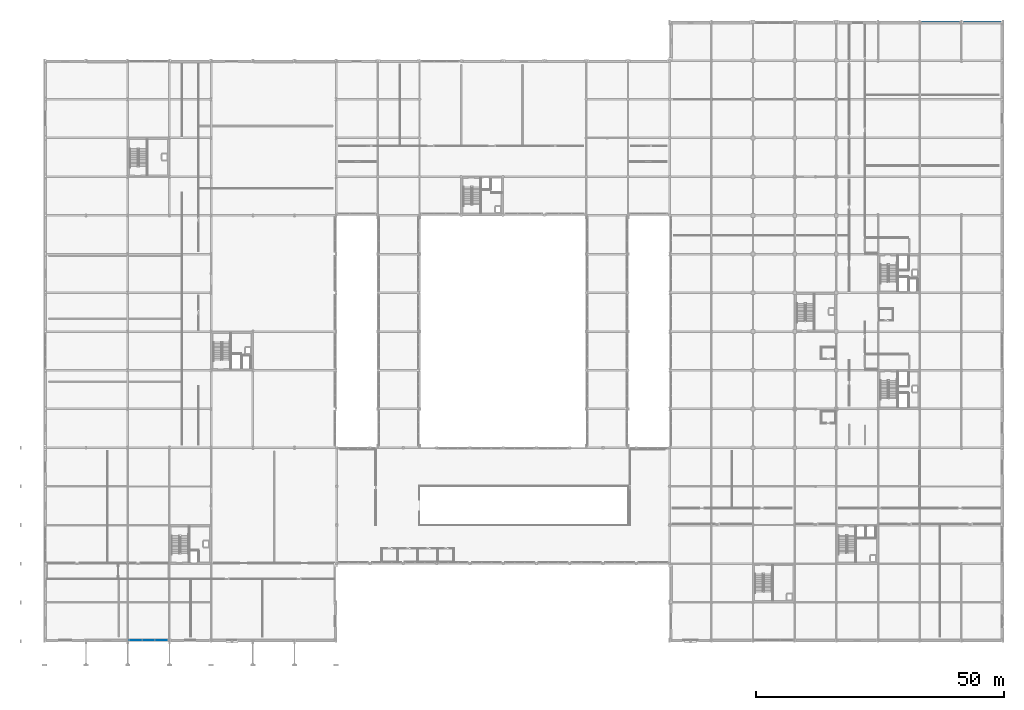
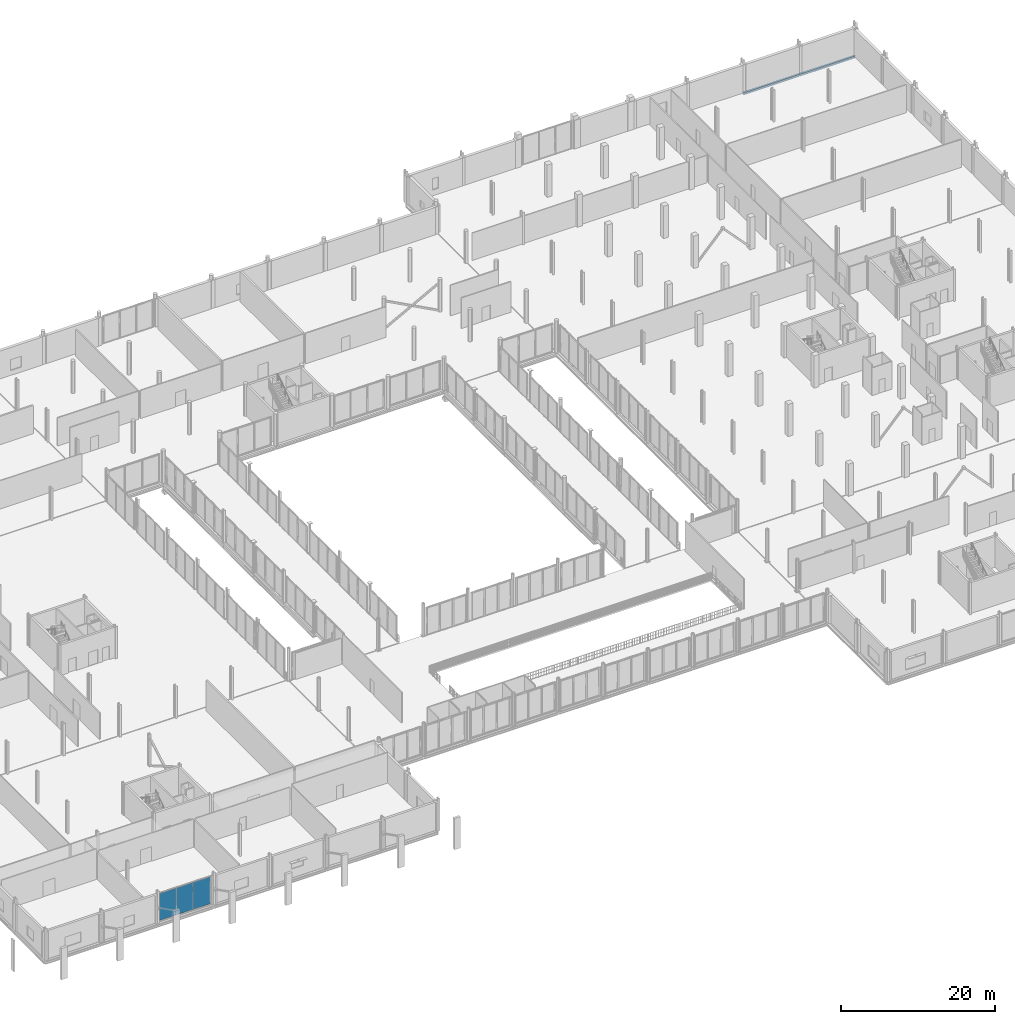
# One storey, part 67 of 105: 3 plates, 2 beams, 1 element without a shape of its own.
"""IFC4 building model written with IfcOpenShell, lengths in metres."""

from ifc_helpers import new_model, si_unit, direction, frame, origin, origin_2d, place, context, subcontext, project, spatial, rectangle, i_section, extrude, material, layer, layer_set, material_profile, profile_set, type_object, element, aggregate, save


model = new_model("IFC4")

# Units and contexts
model_context = context("Model", 3, precision=1e-05, world=origin(), true_north=direction((0.0, 1.0)))
body_context = subcontext(model_context, "Body", "Model", "MODEL_VIEW")
ifc_project = project(units=[si_unit("LENGTHUNIT", "METRE"), si_unit("AREAUNIT", "SQUARE_METRE"), si_unit("VOLUMEUNIT", "CUBIC_METRE"), si_unit("PLANEANGLEUNIT", "RADIAN"), si_unit("MASSUNIT", "GRAM", prefix="KILO")], contexts=[model_context])

# Site, building, storey
site_placement = place(None, origin())
site = spatial("IfcSite", under=ifc_project, at=site_placement, CompositionType="ELEMENT")
building_placement = place(site_placement, origin())
building = spatial("IfcBuilding", under=site, at=building_placement, Name="Nabrawat Pavilion Hospital", CompositionType="ELEMENT")
storey_placement = place(building_placement, frame((0.0, 0.0, 5.10009765625)))
storey = spatial("IfcBuildingStorey", under=building, at=storey_placement, Name="L01", CompositionType="ELEMENT", Elevation=5.10009765625)

# Beams
ifc_material_1 = material(Name="Steel S355", Category="steel")
ifc_material_profile = material_profile(ifc_material_1, i_section(OverallWidth=0.300048828125, OverallDepth=0.340087890625, WebThickness=0.011962890625, FlangeThickness=0.021484375, FilletRadius=0.027099609375, at=origin_2d()), Name="HEB 340")
ifc_profile_set = profile_set([ifc_material_profile], Name="Steel S355")
beam_type = type_object("IfcBeamType", Name="Ward Perimeter Spandrel Beam HEB 340", PredefinedType="SPANDREL", material=ifc_profile_set)
beam_1_placement = place(storey_placement, frame((176.419921875, 124.800048828125, -0.420166015625), z_axis=(1.0, 0.0, 0.0), x_axis=(0.0, 1.0, 0.0)))
element("IfcBeam", 1, at=beam_1_placement, inside=storey, type_object=beam_type, Name="L01 Primary X Girder 692", PredefinedType="SPANDREL", context=body_context, shape_type="SweptSolid", body=[
    extrude(i_section(OverallWidth=0.300048828125, OverallDepth=0.340087890625, WebThickness=0.011962890625, FlangeThickness=0.021484375, FilletRadius=0.027099609375, at=origin_2d()), origin(), (0.0, 0.0, 1.0), 8.360107421875),
])
beam_2_placement = place(storey_placement, frame((184.820068359375, 124.800048828125, -0.420166015625), z_axis=(1.0, 0.0, 0.0), x_axis=(0.0, 1.0, 0.0)))
element("IfcBeam", 2, at=beam_2_placement, inside=storey, type_object=beam_type, Name="L01 Primary X Girder 693", PredefinedType="SPANDREL", context=body_context, shape_type="SweptSolid", body=[
    extrude(i_section(OverallWidth=0.300048828125, OverallDepth=0.340087890625, WebThickness=0.011962890625, FlangeThickness=0.021484375, FilletRadius=0.027099609375, at=origin_2d()), origin(), (0.0, 0.0, 1.0), 8.35986328125),
])

# Curtain wall, plates
ifc_material_2 = material(Name="Anodised Aluminium", Category="aluminium")
curtain_wall_type = type_object("IfcCurtainWallType", Name="Emergency Concourse Glazed Screen", PredefinedType="USERDEFINED", material=ifc_material_2)
curtain_wall_placement = place(storey_placement, origin())
curtain_wall = element("IfcCurtainWall", 3, at=curtain_wall_placement, inside=storey, type_object=curtain_wall_type, Name="L01 Emergency Concourse Glazed Screen 030", ObjectType="CURTAIN WALL", PredefinedType="USERDEFINED")
ifc_material_3 = material(Name="Double-Glazed Low-E Glass", Category="glass")
ifc_layer = layer(ifc_material_3, 0.030029296875, Name="Double-Glazed Low-E Glass")
ifc_layer_set = layer_set([ifc_layer], Name="Double-Glazed Low-E Glass")
plate_type = type_object("IfcPlateType", Name="Emergency Concourse Glazed Screen Low-E Solar Panel 30", PredefinedType="CURTAIN_PANEL", material=ifc_layer_set)
plate_1_placement = place(storey_placement, frame((18.430908203125, 0.219970703125, 0.06982421875), z_axis=(0.0, 0.0, 1.0), x_axis=(1.0, 0.0, 0.0)))
plate_1 = element("IfcPlate", 4, at=plate_1_placement, type_object=plate_type, Name="CW-ED-01 panel 1.1", PredefinedType="CURTAIN_PANEL", context=body_context, shape_type="SweptSolid", body=[
    extrude(rectangle(XDim=2.481689453125, YDim=0.030029296875, at=origin_2d()), origin(), (0.0, 0.0, 1.0), 4.2900390625),
])
plate_2_placement = place(storey_placement, frame((21.0, 0.219970703125, 0.06982421875), z_axis=(0.0, 0.0, 1.0), x_axis=(1.0, 0.0, 0.0)))
plate_2 = element("IfcPlate", 5, at=plate_2_placement, type_object=plate_type, Name="CW-ED-01 panel 2.1", PredefinedType="CURTAIN_PANEL", context=body_context, shape_type="SweptSolid", body=[
    extrude(rectangle(XDim=2.5166015625, YDim=0.030029296875, at=origin_2d()), origin(), (0.0, 0.0, 1.0), 4.2900390625),
])
plate_3_placement = place(storey_placement, frame((23.569091796875, 0.219970703125, 0.06982421875), z_axis=(0.0, 0.0, 1.0), x_axis=(1.0, 0.0, 0.0)))
plate_3 = element("IfcPlate", 6, at=plate_3_placement, type_object=plate_type, Name="CW-ED-01 panel 3.1", PredefinedType="CURTAIN_PANEL", context=body_context, shape_type="SweptSolid", body=[
    extrude(rectangle(XDim=2.481689453125, YDim=0.030029296875, at=origin_2d()), origin(), (0.0, 0.0, 1.0), 4.2900390625),
])
aggregate(curtain_wall, [plate_1, plate_2, plate_3])

save(model, "model.ifc")
